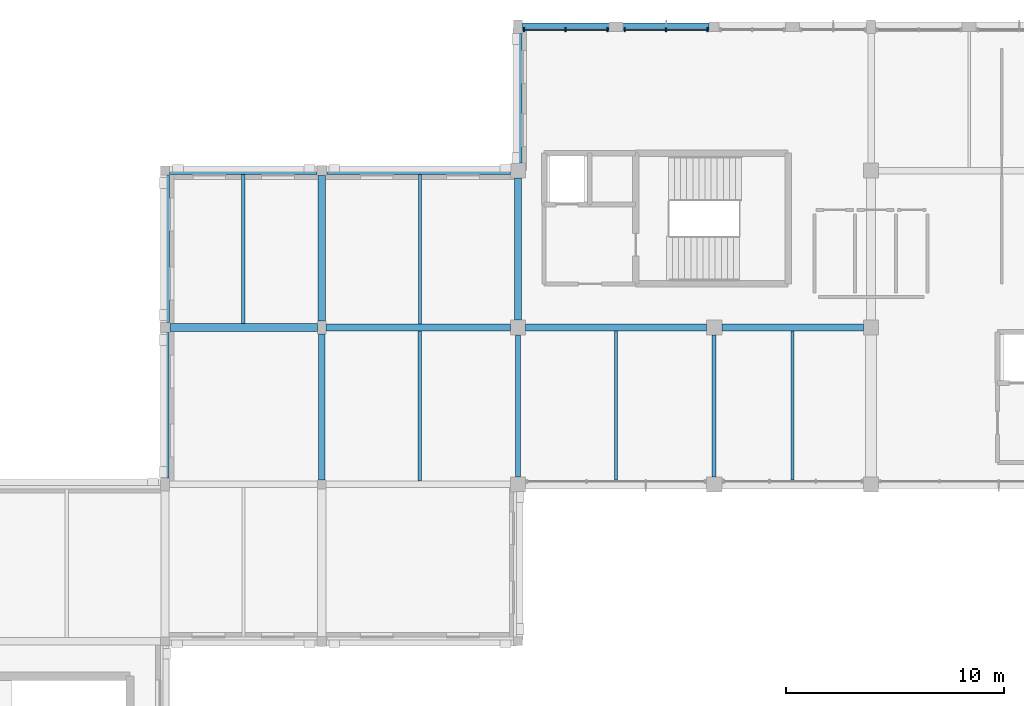
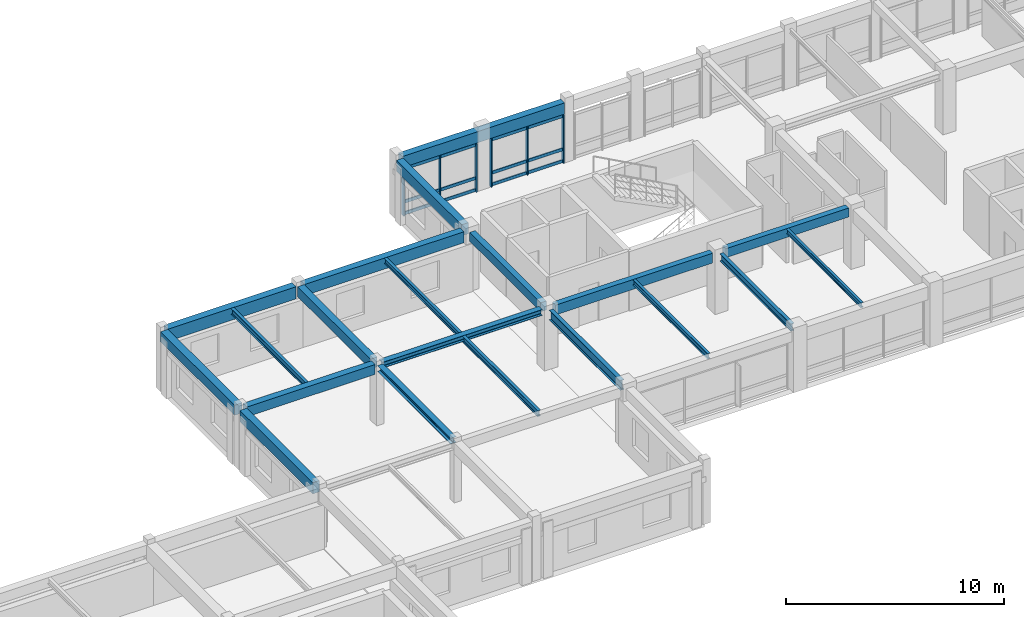
# One storey, part 24 of 52: 20 beams, 18 members, 2 elements without a shape of their own.
"""IFC4 building model written with IfcOpenShell, lengths in metres."""

from ifc_helpers import new_model, si_unit, direction, frame, origin, origin_2d, place, context, subcontext, project, spatial, rectangle, i_section, extrude, material, material_profile, profile_set, type_object, element, aggregate, save


model = new_model("IFC4")

# Units and contexts
model_context = context("Model", 3, precision=1e-05, world=origin(), true_north=direction((0.0, 1.0)))
body_context = subcontext(model_context, "Body", "Model", "MODEL_VIEW")
ifc_project = project(units=[si_unit("LENGTHUNIT", "METRE"), si_unit("AREAUNIT", "SQUARE_METRE"), si_unit("VOLUMEUNIT", "CUBIC_METRE"), si_unit("PLANEANGLEUNIT", "RADIAN"), si_unit("MASSUNIT", "GRAM", prefix="KILO")], contexts=[model_context])

# Site, building, storey
site_placement = place(None, origin())
site = spatial("IfcSite", under=ifc_project, at=site_placement, CompositionType="ELEMENT")
building_placement = place(site_placement, origin())
building = spatial("IfcBuilding", under=site, at=building_placement, Name="Clarverna Civic Hall", CompositionType="ELEMENT")
storey_placement = place(building_placement, frame((0.0, 0.0, 16.800048828125)))
storey = spatial("IfcBuildingStorey", under=building, at=storey_placement, Name="L04", CompositionType="ELEMENT", Elevation=16.800048828125)

# Beams
ifc_material_1 = material(Name="Concrete C35/45", Category="concrete")
ifc_material_profile_1 = material_profile(ifc_material_1, rectangle(XDim=0.300048828125, YDim=0.550048828125, at=origin_2d()), Name="RC 300x550")
ifc_profile_set_1 = profile_set([ifc_material_profile_1], Name="Concrete C35/45")
beam_type_1 = type_object("IfcBeamType", Name="B-RC11", PredefinedType="BEAM", material=ifc_profile_set_1)
beam_1_placement = place(storey_placement, frame((113.75, 102.199951171875, 3.044921875), z_axis=(1.0, 0.0, 0.0), x_axis=(0.0, 1.0, 0.0)))
element("IfcBeam", 1, at=beam_1_placement, inside=storey, type_object=beam_type_1, Name="B-RC11-034", PredefinedType="BEAM", context=body_context, shape_type="SweptSolid", body=[
    extrude(rectangle(XDim=0.300048828125, YDim=0.550048828125, at=origin_2d()), origin(), (0.0, 0.0, 1.0), 8.300048828125),
])
ifc_material_profile_2 = material_profile(ifc_material_1, rectangle(XDim=0.300048828125, YDim=0.5, at=origin_2d()), Name="RC 300x500")
ifc_profile_set_2 = profile_set([ifc_material_profile_2], Name="Concrete C35/45")
beam_type_2 = type_object("IfcBeamType", Name="B-RC12", PredefinedType="BEAM", material=ifc_profile_set_2)
for number, where, z_axis, x_axis, name in (
    (2, (122.75, 102.199951171875, 3.070068359375), (1.0, 0.0, 0.0), (0.0, 1.0, 0.0), "B-RC12-048"),
    (3, (113.39990234375, 102.550048828125, 3.070068359375), (0.0, 1.0, 0.0), (-1.0, 0.0, 0.0), "B-RC12-049"),
):
    element("IfcBeam", number, at=place(storey_placement, frame(where, z_axis=z_axis, x_axis=x_axis)), inside=storey, type_object=beam_type_2, Name=name, PredefinedType="BEAM", context=body_context, shape_type="SweptSolid", body=[
        extrude(rectangle(XDim=0.300048828125, YDim=0.5, at=origin_2d()), origin(), (0.0, 0.0, 1.0), 6.5),
    ])
ifc_material_profile_3 = material_profile(ifc_material_1, rectangle(XDim=0.35009765625, YDim=0.550048828125, at=origin_2d()), Name="RC 350x550")
ifc_profile_set_3 = profile_set([ifc_material_profile_3], Name="Concrete C35/45")
beam_type_3 = type_object("IfcBeamType", Name="B-RC9", PredefinedType="BEAM", material=ifc_profile_set_3)
beam_2_placement = place(storey_placement, frame((97.425048828125, 102.199951171875, 3.0849609375), z_axis=(1.0, 0.0, 0.0), x_axis=(0.0, 1.0, 0.0)))
element("IfcBeam", 4, at=beam_2_placement, inside=storey, type_object=beam_type_3, Name="B-RC9-043", PredefinedType="BEAM", context=body_context, shape_type="SweptSolid", body=[
    extrude(rectangle(XDim=0.35009765625, YDim=0.550048828125, at=origin_2d()), origin(), (0.0, 0.0, 1.0), 6.77490234375),
])
beam_3_placement = place(storey_placement, frame((104.39990234375, 102.5, 3.0849609375), z_axis=(0.0, 1.0, 0.0), x_axis=(-1.0, 0.0, 0.0)))
element("IfcBeam", 5, at=beam_3_placement, inside=storey, type_object=beam_type_3, Name="B-RC9-044", PredefinedType="BEAM", context=body_context, shape_type="SweptSolid", body=[
    extrude(rectangle(XDim=0.35009765625, YDim=0.550048828125, at=origin_2d()), origin(), (0.0, 0.0, 1.0), 6.675048828125),
])
ifc_material_profile_4 = material_profile(ifc_material_1, rectangle(XDim=0.3798828125, YDim=0.679931640625, at=origin_2d()), Name="RC 380x680")
ifc_profile_set_4 = profile_set([ifc_material_profile_4], Name="Concrete C35/45")
beam_type_4 = type_object("IfcBeamType", Name="B-SP2", PredefinedType="SPANDREL", material=ifc_profile_set_4)
beam_4_placement = place(storey_placement, frame((97.39990234375, 109.39990234375, 3.02001953125), z_axis=(1.0, 0.0, 0.0), x_axis=(0.0, 1.0, 0.0)))
element("IfcBeam", 6, at=beam_4_placement, inside=storey, type_object=beam_type_4, Name="B-SP2-138", PredefinedType="SPANDREL", context=body_context, shape_type="SweptSolid", body=[
    extrude(rectangle(XDim=0.3798828125, YDim=0.679931640625, at=origin_2d()), origin(), (0.0, 0.0, 1.0), 6.775146484375),
])
ifc_material_profile_5 = material_profile(ifc_material_1, rectangle(XDim=0.360107421875, YDim=0.6201171875, at=origin_2d()), Name="RC 360x620")
ifc_profile_set_5 = profile_set([ifc_material_profile_5], Name="Concrete C35/45")
beam_type_5 = type_object("IfcBeamType", Name="B-SP3", PredefinedType="SPANDREL", material=ifc_profile_set_5)
beam_5_placement = place(storey_placement, frame((104.625, 109.39990234375, 3.010009765625), z_axis=(1.0, 0.0, 0.0), x_axis=(0.0, 1.0, 0.0)))
element("IfcBeam", 7, at=beam_5_placement, inside=storey, type_object=beam_type_5, Name="B-SP3-136", PredefinedType="SPANDREL", context=body_context, shape_type="SweptSolid", body=[
    extrude(rectangle(XDim=0.360107421875, YDim=0.6201171875, at=origin_2d()), origin(), (0.0, 0.0, 1.0), 8.425048828125),
])
beam_6_placement = place(storey_placement, frame((113.60009765625, 116.0, 3.010009765625), z_axis=(1.0, 0.0, 0.0), x_axis=(0.0, 1.0, 0.0)))
element("IfcBeam", 8, at=beam_6_placement, inside=storey, type_object=beam_type_5, Name="B-SP3-139", PredefinedType="SPANDREL", context=body_context, shape_type="SweptSolid", body=[
    extrude(rectangle(XDim=0.360107421875, YDim=0.6201171875, at=origin_2d()), origin(), (0.0, 0.0, 1.0), 8.574951171875),
])
beam_7_placement = place(storey_placement, frame((97.199951171875, 95.300048828125, 3.030029296875), z_axis=(0.0, 1.0, 0.0), x_axis=(-1.0, 0.0, 0.0)))
element("IfcBeam", 9, at=beam_7_placement, inside=storey, type_object=beam_type_5, Name="B-SP3-145", PredefinedType="SPANDREL", context=body_context, shape_type="SweptSolid", body=[
    extrude(rectangle(XDim=0.360107421875, YDim=0.6201171875, at=origin_2d()), origin(), (0.0, 0.0, 1.0), 6.675048828125),
])
beam_8_placement = place(storey_placement, frame((113.39990234375, 109.75, 3.010009765625), z_axis=(0.0, 1.0, 0.0), x_axis=(-1.0, 0.0, 0.0)))
element("IfcBeam", 10, at=beam_8_placement, inside=storey, type_object=beam_type_5, Name="B-SP3-146", PredefinedType="SPANDREL", context=body_context, shape_type="SweptSolid", body=[
    extrude(rectangle(XDim=0.360107421875, YDim=0.6201171875, at=origin_2d()), origin(), (0.0, 0.0, 1.0), 5.949951171875),
])
ifc_material_profile_6 = material_profile(ifc_material_1, rectangle(XDim=0.39990234375, YDim=0.56005859375, at=origin_2d()), Name="RC 400x560")
ifc_profile_set_6 = profile_set([ifc_material_profile_6], Name="Concrete C35/45")
beam_type_6 = type_object("IfcBeamType", Name="B-SP4", PredefinedType="SPANDREL", material=ifc_profile_set_6)
beam_9_placement = place(storey_placement, frame((97.199951171875, 102.425048828125, 3.079833984375), z_axis=(0.0, 1.0, 0.0), x_axis=(-1.0, 0.0, 0.0)))
element("IfcBeam", 11, at=beam_9_placement, inside=storey, type_object=beam_type_6, Name="B-SP4-145", PredefinedType="SPANDREL", context=body_context, shape_type="SweptSolid", body=[
    extrude(rectangle(XDim=0.39990234375, YDim=0.56005859375, at=origin_2d()), origin(), (0.0, 0.0, 1.0), 6.77490234375),
])
ifc_material_2 = material(Name="Steel S355", Category="steel")
ifc_material_profile_7 = material_profile(ifc_material_2, i_section(OverallWidth=0.2099609375, OverallDepth=0.550048828125, WebThickness=0.010986328125, FlangeThickness=0.01708984375, FilletRadius=0.02392578125, at=origin_2d()), Name="IPE 550")
ifc_profile_set_7 = profile_set([ifc_material_profile_7], Name="Steel S355")
beam_type_7 = type_object("IfcBeamType", Name="B-ST11", PredefinedType="BEAM", material=ifc_profile_set_7)
beam_10_placement = place(storey_placement, frame((113.39990234375, 95.35009765625, 3.044921875), z_axis=(0.0, 1.0, 0.0), x_axis=(-1.0, 0.0, 0.0)))
element("IfcBeam", 12, at=beam_10_placement, inside=storey, type_object=beam_type_7, Name="B-ST11-022", PredefinedType="BEAM", context=body_context, shape_type="SweptSolid", body=[
    extrude(i_section(OverallWidth=0.2099609375, OverallDepth=0.550048828125, WebThickness=0.010986328125, FlangeThickness=0.01708984375, FilletRadius=0.02392578125, at=origin_2d()), origin(), (0.0, 0.0, 1.0), 6.5),
])
ifc_material_profile_8 = material_profile(ifc_material_2, i_section(OverallWidth=0.179931640625, OverallDepth=0.39990234375, WebThickness=0.008544921875, FlangeThickness=0.013427734375, FilletRadius=0.02099609375, at=origin_2d()), Name="IPE 400")
ifc_profile_set_8 = profile_set([ifc_material_profile_8], Name="Steel S355")
beam_type_8 = type_object("IfcBeamType", Name="B-ST14", PredefinedType="BEAM", material=ifc_profile_set_8)
beam_11_placement = place(storey_placement, frame((122.39990234375, 95.35009765625, 3.119873046875), z_axis=(0.0, 1.0, 0.0), x_axis=(-1.0, 0.0, 0.0)))
element("IfcBeam", 13, at=beam_11_placement, inside=storey, type_object=beam_type_8, Name="B-ST14-025", PredefinedType="BEAM", context=body_context, shape_type="SweptSolid", body=[
    extrude(i_section(OverallWidth=0.179931640625, OverallDepth=0.39990234375, WebThickness=0.008544921875, FlangeThickness=0.013427734375, FilletRadius=0.02099609375, at=origin_2d()), origin(), (0.0, 0.0, 1.0), 6.5),
])
ifc_material_profile_9 = material_profile(ifc_material_2, i_section(OverallWidth=0.300048828125, OverallDepth=0.330078125, WebThickness=0.009521484375, FlangeThickness=0.0166015625, FilletRadius=0.027099609375, at=origin_2d()), Name="HEA 340")
ifc_profile_set_9 = profile_set([ifc_material_profile_9], Name="Steel S355")
beam_type_9 = type_object("IfcBeamType", Name="B-ST8", PredefinedType="BEAM", material=ifc_profile_set_9)
beam_12_placement = place(storey_placement, frame((104.60009765625, 102.199951171875, 3.155029296875), z_axis=(1.0, 0.0, 0.0), x_axis=(0.0, 1.0, 0.0)))
element("IfcBeam", 14, at=beam_12_placement, inside=storey, type_object=beam_type_9, Name="B-ST8-089", PredefinedType="BEAM", context=body_context, shape_type="SweptSolid", body=[
    extrude(i_section(OverallWidth=0.300048828125, OverallDepth=0.330078125, WebThickness=0.009521484375, FlangeThickness=0.0166015625, FilletRadius=0.027099609375, at=origin_2d()), origin(), (0.0, 0.0, 1.0), 8.449951171875),
])
beam_13_placement = place(storey_placement, frame((104.39990234375, 95.199951171875, 3.195068359375), z_axis=(0.0, 1.0, 0.0), x_axis=(-1.0, 0.0, 0.0)))
element("IfcBeam", 15, at=beam_13_placement, inside=storey, type_object=beam_type_9, Name="B-ST8-090", PredefinedType="BEAM", context=body_context, shape_type="SweptSolid", body=[
    extrude(i_section(OverallWidth=0.300048828125, OverallDepth=0.330078125, WebThickness=0.009521484375, FlangeThickness=0.0166015625, FilletRadius=0.027099609375, at=origin_2d()), origin(), (0.0, 0.0, 1.0), 6.699951171875),
])

# Curtain wall, members
ifc_material_3 = material(Name="Anodised Bronze Architectural Aluminium", Category="aluminium")
curtain_wall_type = type_object("IfcCurtainWallType", Name="CW-01", PredefinedType="USERDEFINED", material=ifc_material_3)
curtain_wall_1_placement = place(storey_placement, origin())
curtain_wall_1 = element("IfcCurtainWall", 16, at=curtain_wall_1_placement, inside=storey, type_object=curtain_wall_type, Name="CW-01-077", ObjectType="UNITISED CURTAIN WALL", PredefinedType="USERDEFINED")
ifc_material_profile_10 = material_profile(ifc_material_3, rectangle(XDim=0.06494140625, YDim=0.199951171875, at=origin_2d()), Name="BRONZE 65x200")
ifc_profile_set_10 = profile_set([ifc_material_profile_10], Name="Anodised Bronze Architectural Aluminium")
member_type_1 = type_object("IfcMemberType", Name="CWM-03", PredefinedType="MULLION", material=ifc_profile_set_10)
member_1_placement = place(storey_placement, frame((113.673095703125, 115.860107421875, 0.0), z_axis=(0.0, 0.0, 1.0), x_axis=(1.0, 0.0, 0.0)))
member_1 = element("IfcMember", 17, at=member_1_placement, type_object=member_type_1, Name="CWM-03-151", PredefinedType="MULLION", context=body_context, shape_type="SweptSolid", body=[
    extrude(rectangle(XDim=0.06494140625, YDim=0.199951171875, at=origin_2d()), origin(), (0.0, 0.0, 1.0), 2.699951171875),
])
member_2_placement = place(storey_placement, frame((115.58740234375, 115.860107421875, 0.0), z_axis=(0.0, 0.0, 1.0), x_axis=(1.0, 0.0, 0.0)))
member_2 = element("IfcMember", 18, at=member_2_placement, type_object=member_type_1, Name="CWM-03-152", PredefinedType="MULLION", context=body_context, shape_type="SweptSolid", body=[
    extrude(rectangle(XDim=0.06494140625, YDim=0.199951171875, at=origin_2d()), origin(), (0.0, 0.0, 1.0), 2.699951171875),
])
member_3_placement = place(storey_placement, frame((117.501953125, 115.860107421875, 0.0), z_axis=(0.0, 0.0, 1.0), x_axis=(1.0, 0.0, 0.0)))
member_3 = element("IfcMember", 19, at=member_3_placement, type_object=member_type_1, Name="CWM-03-153", PredefinedType="MULLION", context=body_context, shape_type="SweptSolid", body=[
    extrude(rectangle(XDim=0.06494140625, YDim=0.199951171875, at=origin_2d()), origin(), (0.0, 0.0, 1.0), 2.699951171875),
])

curtain_wall_2_placement = place(storey_placement, origin())
curtain_wall_2 = element("IfcCurtainWall", 20, at=curtain_wall_2_placement, inside=storey, type_object=curtain_wall_type, Name="CW-01-078", ObjectType="UNITISED CURTAIN WALL", PredefinedType="USERDEFINED")
member_4_placement = place(storey_placement, frame((118.298095703125, 115.860107421875, 0.0), z_axis=(0.0, 0.0, 1.0), x_axis=(1.0, 0.0, 0.0)))
member_4 = element("IfcMember", 21, at=member_4_placement, type_object=member_type_1, Name="CWM-03-154", PredefinedType="MULLION", context=body_context, shape_type="SweptSolid", body=[
    extrude(rectangle(XDim=0.06494140625, YDim=0.199951171875, at=origin_2d()), origin(), (0.0, 0.0, 1.0), 2.699951171875),
])
member_5_placement = place(storey_placement, frame((120.199951171875, 115.860107421875, 0.0), z_axis=(0.0, 0.0, 1.0), x_axis=(1.0, 0.0, 0.0)))
member_5 = element("IfcMember", 22, at=member_5_placement, type_object=member_type_1, Name="CWM-03-155", PredefinedType="MULLION", context=body_context, shape_type="SweptSolid", body=[
    extrude(rectangle(XDim=0.06494140625, YDim=0.199951171875, at=origin_2d()), origin(), (0.0, 0.0, 1.0), 2.699951171875),
])
member_6_placement = place(storey_placement, frame((122.10205078125, 115.860107421875, 0.0), z_axis=(0.0, 0.0, 1.0), x_axis=(1.0, 0.0, 0.0)))
member_6 = element("IfcMember", 23, at=member_6_placement, type_object=member_type_1, Name="CWM-03-156", PredefinedType="MULLION", context=body_context, shape_type="SweptSolid", body=[
    extrude(rectangle(XDim=0.06494140625, YDim=0.199951171875, at=origin_2d()), origin(), (0.0, 0.0, 1.0), 2.699951171875),
])

# Member
ifc_material_profile_11 = material_profile(ifc_material_3, rectangle(XDim=0.06494140625, YDim=0.169921875, at=origin_2d()), Name="BRONZE 65x170")
ifc_profile_set_11 = profile_set([ifc_material_profile_11], Name="Anodised Bronze Architectural Aluminium")
member_type_2 = type_object("IfcMemberType", Name="CWT-03", PredefinedType="USERDEFINED", material=ifc_profile_set_11)
member_7_placement = place(storey_placement, frame((113.68798828125, 115.860107421875, 0.094970703125), z_axis=(1.0, 0.0, 0.0), x_axis=(0.0, 1.0, 0.0)))
member_7 = element("IfcMember", 24, at=member_7_placement, type_object=member_type_2, Name="CWT-03-322", ObjectType="TRANSOM", PredefinedType="USERDEFINED", context=body_context, shape_type="SweptSolid", body=[
    extrude(rectangle(XDim=0.06494140625, YDim=0.169921875, at=origin_2d()), origin(), (0.0, 0.0, 1.0), 1.884521484375),
])

member_8_placement = place(storey_placement, frame((113.68798828125, 115.860107421875, 0.75), z_axis=(1.0, 0.0, 0.0), x_axis=(0.0, 1.0, 0.0)))
member_8 = element("IfcMember", 25, at=member_8_placement, type_object=member_type_2, Name="CWT-03-323", ObjectType="TRANSOM", PredefinedType="USERDEFINED", context=body_context, shape_type="SweptSolid", body=[
    extrude(rectangle(XDim=0.06494140625, YDim=0.169921875, at=origin_2d()), origin(), (0.0, 0.0, 1.0), 1.884521484375),
])

member_9_placement = place(storey_placement, frame((113.68798828125, 115.860107421875, 2.60498046875), z_axis=(1.0, 0.0, 0.0), x_axis=(0.0, 1.0, 0.0)))
member_9 = element("IfcMember", 26, at=member_9_placement, type_object=member_type_2, Name="CWT-03-324", ObjectType="TRANSOM", PredefinedType="USERDEFINED", context=body_context, shape_type="SweptSolid", body=[
    extrude(rectangle(XDim=0.06494140625, YDim=0.169921875, at=origin_2d()), origin(), (0.0, 0.0, 1.0), 1.884521484375),
])

member_10_placement = place(storey_placement, frame((115.6025390625, 115.860107421875, 0.094970703125), z_axis=(1.0, 0.0, 0.0), x_axis=(0.0, 1.0, 0.0)))
member_10 = element("IfcMember", 27, at=member_10_placement, type_object=member_type_2, Name="CWT-03-325", ObjectType="TRANSOM", PredefinedType="USERDEFINED", context=body_context, shape_type="SweptSolid", body=[
    extrude(rectangle(XDim=0.06494140625, YDim=0.169921875, at=origin_2d()), origin(), (0.0, 0.0, 1.0), 1.884521484375),
])

member_11_placement = place(storey_placement, frame((115.6025390625, 115.860107421875, 0.75), z_axis=(1.0, 0.0, 0.0), x_axis=(0.0, 1.0, 0.0)))
member_11 = element("IfcMember", 28, at=member_11_placement, type_object=member_type_2, Name="CWT-03-326", ObjectType="TRANSOM", PredefinedType="USERDEFINED", context=body_context, shape_type="SweptSolid", body=[
    extrude(rectangle(XDim=0.06494140625, YDim=0.169921875, at=origin_2d()), origin(), (0.0, 0.0, 1.0), 1.884521484375),
])

member_12_placement = place(storey_placement, frame((115.6025390625, 115.860107421875, 2.60498046875), z_axis=(1.0, 0.0, 0.0), x_axis=(0.0, 1.0, 0.0)))
member_12 = element("IfcMember", 29, at=member_12_placement, type_object=member_type_2, Name="CWT-03-327", ObjectType="TRANSOM", PredefinedType="USERDEFINED", context=body_context, shape_type="SweptSolid", body=[
    extrude(rectangle(XDim=0.06494140625, YDim=0.169921875, at=origin_2d()), origin(), (0.0, 0.0, 1.0), 1.884521484375),
])

aggregate(curtain_wall_1, [member_1, member_2, member_3, member_7, member_8, member_9, member_10, member_11, member_12])

member_13_placement = place(storey_placement, frame((118.31298828125, 115.860107421875, 0.094970703125), z_axis=(1.0, 0.0, 0.0), x_axis=(0.0, 1.0, 0.0)))
member_13 = element("IfcMember", 30, at=member_13_placement, type_object=member_type_2, Name="CWT-03-328", ObjectType="TRANSOM", PredefinedType="USERDEFINED", context=body_context, shape_type="SweptSolid", body=[
    extrude(rectangle(XDim=0.06494140625, YDim=0.169921875, at=origin_2d()), origin(), (0.0, 0.0, 1.0), 1.8720703125),
])

member_14_placement = place(storey_placement, frame((118.31298828125, 115.860107421875, 0.75), z_axis=(1.0, 0.0, 0.0), x_axis=(0.0, 1.0, 0.0)))
member_14 = element("IfcMember", 31, at=member_14_placement, type_object=member_type_2, Name="CWT-03-329", ObjectType="TRANSOM", PredefinedType="USERDEFINED", context=body_context, shape_type="SweptSolid", body=[
    extrude(rectangle(XDim=0.06494140625, YDim=0.169921875, at=origin_2d()), origin(), (0.0, 0.0, 1.0), 1.8720703125),
])

member_15_placement = place(storey_placement, frame((118.31298828125, 115.860107421875, 2.60498046875), z_axis=(1.0, 0.0, 0.0), x_axis=(0.0, 1.0, 0.0)))
member_15 = element("IfcMember", 32, at=member_15_placement, type_object=member_type_2, Name="CWT-03-330", ObjectType="TRANSOM", PredefinedType="USERDEFINED", context=body_context, shape_type="SweptSolid", body=[
    extrude(rectangle(XDim=0.06494140625, YDim=0.169921875, at=origin_2d()), origin(), (0.0, 0.0, 1.0), 1.8720703125),
])

member_16_placement = place(storey_placement, frame((120.215087890625, 115.860107421875, 0.094970703125), z_axis=(1.0, 0.0, 0.0), x_axis=(0.0, 1.0, 0.0)))
member_16 = element("IfcMember", 33, at=member_16_placement, type_object=member_type_2, Name="CWT-03-331", ObjectType="TRANSOM", PredefinedType="USERDEFINED", context=body_context, shape_type="SweptSolid", body=[
    extrude(rectangle(XDim=0.06494140625, YDim=0.169921875, at=origin_2d()), origin(), (0.0, 0.0, 1.0), 1.871826171875),
])

member_17_placement = place(storey_placement, frame((120.215087890625, 115.860107421875, 0.75), z_axis=(1.0, 0.0, 0.0), x_axis=(0.0, 1.0, 0.0)))
member_17 = element("IfcMember", 34, at=member_17_placement, type_object=member_type_2, Name="CWT-03-332", ObjectType="TRANSOM", PredefinedType="USERDEFINED", context=body_context, shape_type="SweptSolid", body=[
    extrude(rectangle(XDim=0.06494140625, YDim=0.169921875, at=origin_2d()), origin(), (0.0, 0.0, 1.0), 1.871826171875),
])

member_18_placement = place(storey_placement, frame((120.215087890625, 115.860107421875, 2.60498046875), z_axis=(1.0, 0.0, 0.0), x_axis=(0.0, 1.0, 0.0)))
member_18 = element("IfcMember", 35, at=member_18_placement, type_object=member_type_2, Name="CWT-03-333", ObjectType="TRANSOM", PredefinedType="USERDEFINED", context=body_context, shape_type="SweptSolid", body=[
    extrude(rectangle(XDim=0.06494140625, YDim=0.169921875, at=origin_2d()), origin(), (0.0, 0.0, 1.0), 1.871826171875),
])

aggregate(curtain_wall_2, [member_4, member_5, member_6, member_13, member_14, member_15, member_16, member_17, member_18])

# Beams
ifc_material_profile_12 = material_profile(ifc_material_2, i_section(OverallWidth=0.159912109375, OverallDepth=0.330078125, WebThickness=0.007568359375, FlangeThickness=0.011474609375, FilletRadius=0.01806640625, at=origin_2d()), Name="IPE 330")
ifc_profile_set_12 = profile_set([ifc_material_profile_12], Name="Steel S355")
beam_type_10 = type_object("IfcBeamType", Name="J-ST2", PredefinedType="JOIST", material=ifc_profile_set_12)
beam_14_placement = place(storey_placement, frame((108.89990234375, 95.14990234375, 3.155029296875), z_axis=(0.0, 1.0, 0.0), x_axis=(-1.0, 0.0, 0.0)))
element("IfcBeam", 36, at=beam_14_placement, inside=storey, type_object=beam_type_10, Name="J-ST2-070", PredefinedType="JOIST", context=body_context, shape_type="SweptSolid", body=[
    extrude(i_section(OverallWidth=0.159912109375, OverallDepth=0.330078125, WebThickness=0.007568359375, FlangeThickness=0.011474609375, FilletRadius=0.01806640625, at=origin_2d()), origin(), (0.0, 0.0, 1.0), 6.900146484375),
])
beam_15_placement = place(storey_placement, frame((100.800048828125, 102.375, 3.195068359375), z_axis=(0.0, 1.0, 0.0), x_axis=(-1.0, 0.0, 0.0)))
element("IfcBeam", 37, at=beam_15_placement, inside=storey, type_object=beam_type_10, Name="J-ST2-071", PredefinedType="JOIST", context=body_context, shape_type="SweptSolid", body=[
    extrude(i_section(OverallWidth=0.159912109375, OverallDepth=0.330078125, WebThickness=0.007568359375, FlangeThickness=0.011474609375, FilletRadius=0.01806640625, at=origin_2d()), origin(), (0.0, 0.0, 1.0), 6.8349609375),
])
ifc_material_profile_13 = material_profile(ifc_material_2, i_section(OverallWidth=0.14990234375, OverallDepth=0.300048828125, WebThickness=0.007080078125, FlangeThickness=0.0107421875, FilletRadius=0.014892578125, at=origin_2d()), Name="IPE 300")
ifc_profile_set_13 = profile_set([ifc_material_profile_13], Name="Steel S355")
beam_type_11 = type_object("IfcBeamType", Name="J-ST3", PredefinedType="JOIST", material=ifc_profile_set_13)
beam_16_placement = place(storey_placement, frame((117.89990234375, 95.199951171875, 3.169921875), z_axis=(0.0, 1.0, 0.0), x_axis=(-1.0, 0.0, 0.0)))
element("IfcBeam", 38, at=beam_16_placement, inside=storey, type_object=beam_type_11, Name="J-ST3-070", PredefinedType="JOIST", context=body_context, shape_type="SweptSolid", body=[
    extrude(i_section(OverallWidth=0.14990234375, OverallDepth=0.300048828125, WebThickness=0.007080078125, FlangeThickness=0.0107421875, FilletRadius=0.014892578125, at=origin_2d()), origin(), (0.0, 0.0, 1.0), 6.85009765625),
])
beam_17_placement = place(storey_placement, frame((108.89990234375, 102.35009765625, 3.169921875), z_axis=(0.0, 1.0, 0.0), x_axis=(-1.0, 0.0, 0.0)))
element("IfcBeam", 39, at=beam_17_placement, inside=storey, type_object=beam_type_11, Name="J-ST3-071", PredefinedType="JOIST", context=body_context, shape_type="SweptSolid", body=[
    extrude(i_section(OverallWidth=0.14990234375, OverallDepth=0.300048828125, WebThickness=0.007080078125, FlangeThickness=0.0107421875, FilletRadius=0.014892578125, at=origin_2d()), origin(), (0.0, 0.0, 1.0), 6.869873046875),
])
ifc_material_profile_14 = material_profile(ifc_material_2, i_section(OverallWidth=0.135009765625, OverallDepth=0.27001953125, WebThickness=0.006591796875, FlangeThickness=0.01025390625, FilletRadius=0.014892578125, at=origin_2d()), Name="IPE 270")
ifc_profile_set_14 = profile_set([ifc_material_profile_14], Name="Steel S355")
beam_type_12 = type_object("IfcBeamType", Name="J-ST4", PredefinedType="JOIST", material=ifc_profile_set_14)
beam_18_placement = place(storey_placement, frame((126.0, 95.2099609375, 3.18505859375), z_axis=(0.0, 1.0, 0.0), x_axis=(-1.0, 0.0, 0.0)))
element("IfcBeam", 40, at=beam_18_placement, inside=storey, type_object=beam_type_12, Name="J-ST4-072", PredefinedType="JOIST", context=body_context, shape_type="SweptSolid", body=[
    extrude(i_section(OverallWidth=0.135009765625, OverallDepth=0.27001953125, WebThickness=0.006591796875, FlangeThickness=0.01025390625, FilletRadius=0.014892578125, at=origin_2d()), origin(), (0.0, 0.0, 1.0), 6.840087890625),
])

save(model, "model.ifc")
